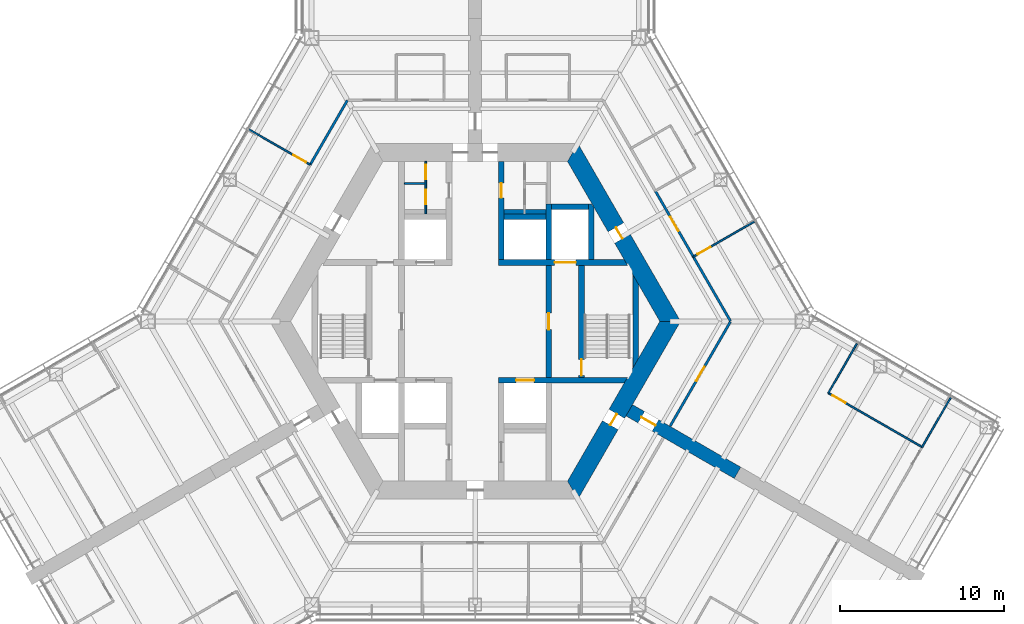
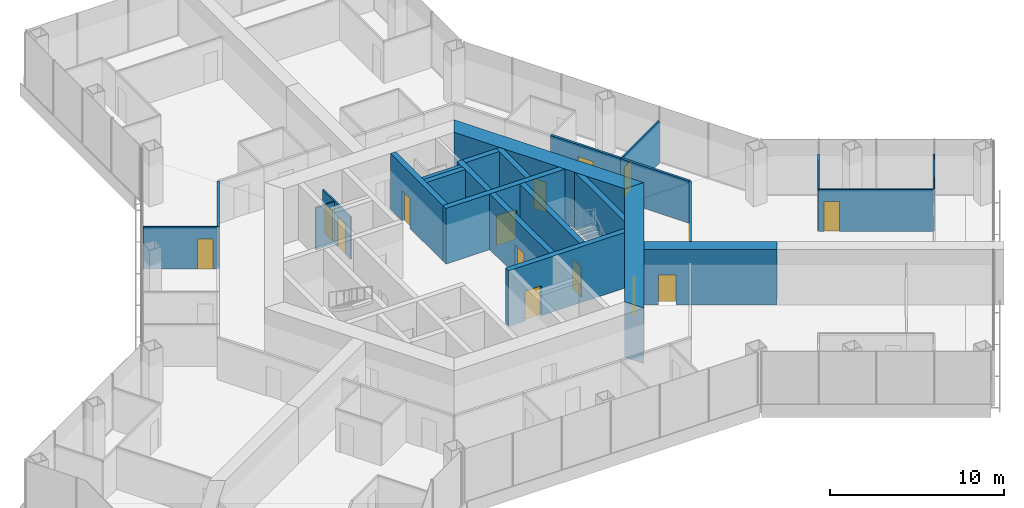
# One storey, part 14 of 18: 25 walls, 15 doors, 15 openings.
"""IFC4 building model written with IfcOpenShell, lengths in metres."""

import ifcopenshell
import ifcopenshell.guid

model = None  # the IFC model being written
_history = None  # IfcOwnerHistory: only IFC2X3 demands one
_inside = {}  # id of a spatial element -> (the spatial element, [elements in it])
_under = {}  # id of a project, library or spatial element -> (it, [spatial elements below it])
_declared = {}  # id of a project -> (the project, [libraries it declares])
_typed = {}  # id of a type object -> (the type object, [elements of that type])
_made_of = {}  # id of a material, layer set ... -> (it, [elements and type objects made of it])


def new_model(schema):
    """Start an empty IFC model of exactly this schema.

    Asked for "IFC4X3", IfcOpenShell would pick the latest addendum, in which some entities
    have other attributes; the version numbers below select the first issue.
    IFC2X3 requires an IfcOwnerHistory on every rooted entity: one is made here for all.
    """
    global model, _history
    if schema == "IFC4X3":
        model = ifcopenshell.file(schema_version=(4, 3, 0, 0))
    else:
        model = ifcopenshell.file(schema=schema)
    _inside.clear()
    _under.clear()
    _declared.clear()
    _typed.clear()
    _made_of.clear()
    _history = None
    if model.schema == "IFC2X3":
        org = make("IfcOrganization", Name="unknown")
        user = make(
            "IfcPersonAndOrganization",
            ThePerson=make("IfcPerson", FamilyName="unknown"),
            TheOrganization=org,
        )
        app = make(
            "IfcApplication",
            ApplicationDeveloper=org,
            Version="unknown",
            ApplicationFullName="unknown",
            ApplicationIdentifier="unknown",
        )
        _history = make(
            "IfcOwnerHistory",
            OwningUser=user,
            OwningApplication=app,
            ChangeAction="ADDED",
            CreationDate=0,
        )
    return model


def make(cls, **values):
    """One entity of the class cls with the attributes given. An attribute that is None is left unset."""
    return model.create_entity(
        cls, **{name: value for name, value in values.items() if value is not None}
    )


def rooted(cls, **values):
    """An entity with a GlobalId (a new one), such as an element, a storey or a relation."""
    return make(cls, GlobalId=ifcopenshell.guid.new(), OwnerHistory=_history, **values)


def si_unit(unit_type, name, prefix=None):
    """IfcSIUnit, for example si_unit("LENGTHUNIT", "METRE", prefix="MILLI")."""
    return make("IfcSIUnit", UnitType=unit_type, Prefix=prefix, Name=name)


def assignment(units):
    """IfcUnitAssignment: the units of a project."""
    return None if units is None else make("IfcUnitAssignment", Units=units)


def point(xyz):
    """IfcCartesianPoint."""
    return None if xyz is None else make("IfcCartesianPoint", Coordinates=xyz)


def direction(xyz):
    """IfcDirection."""
    return None if xyz is None else make("IfcDirection", DirectionRatios=xyz)


def frame(location, z_axis=None, x_axis=None):
    """IfcAxis2Placement3D, a coordinate frame: its origin and axes. An axis left out is left unset."""
    return make(
        "IfcAxis2Placement3D",
        Location=point(location),
        Axis=direction(z_axis),
        RefDirection=direction(x_axis),
    )


def frame_2d(location, x_axis=None):
    """IfcAxis2Placement2D, a coordinate frame in the plane: its origin and x axis."""
    return make(
        "IfcAxis2Placement2D", Location=point(location), RefDirection=direction(x_axis)
    )


def origin():
    """The frame at (0, 0, 0) with its axes left unset."""
    return frame((0.0, 0.0, 0.0))


def place(relative_to, where):
    """IfcLocalPlacement: puts the frame where relative to a parent placement (None: the world)."""
    return make(
        "IfcLocalPlacement", PlacementRelTo=relative_to, RelativePlacement=where
    )


def context(
    kind, dimensions, precision=None, world=None, true_north=None, identifier=None
):
    """IfcGeometricRepresentationContext, for example the 3D "Model" context."""
    return make(
        "IfcGeometricRepresentationContext",
        ContextIdentifier=identifier,
        ContextType=kind,
        CoordinateSpaceDimension=dimensions,
        Precision=precision,
        WorldCoordinateSystem=world,
        TrueNorth=true_north,
    )


def subcontext(parent, identifier, kind, view, scale=None):
    """IfcGeometricRepresentationSubContext, for example "Body" below "Model"."""
    return make(
        "IfcGeometricRepresentationSubContext",
        ContextIdentifier=identifier,
        ContextType=kind,
        ParentContext=parent,
        TargetScale=scale,
        TargetView=view,
    )


def project(units=None, contexts=None):
    """IfcProject with its units and contexts."""
    return rooted(
        "IfcProject",
        Name="project",
        RepresentationContexts=contexts,
        UnitsInContext=assignment(units),
    )


def spatial(cls, under=None, at=None, **own):
    """A site, building, storey or space (cls), placed at a placement, below another one or the project."""
    s = rooted(cls, ObjectPlacement=at, **own)
    if under is not None:
        _under.setdefault(under.id(), (under, []))[1].append(s)
    return s


def polyline(points):
    """IfcPolyline through the points."""
    return make("IfcPolyline", Points=[point(p) for p in points])


def profile(cls, at=None, kind="AREA", **sizes):
    """A parametric profile (cls). Its sizes go by their IFC names, for example OverallWidth=200.0."""
    return make(cls, ProfileType=kind, Position=at, **sizes)


def rectangle(**sizes):
    """IfcRectangleProfileDef."""
    return profile("IfcRectangleProfileDef", **sizes)


def outline(outer, holes=None, kind="AREA"):
    """IfcArbitraryClosedProfileDef: a profile drawn as a closed curve; with holes, ...WithVoids."""
    if holes is None:
        return make("IfcArbitraryClosedProfileDef", ProfileType=kind, OuterCurve=outer)
    return make(
        "IfcArbitraryProfileDefWithVoids",
        ProfileType=kind,
        OuterCurve=outer,
        InnerCurves=holes,
    )


def extrude(swept, where, along, depth):
    """IfcExtrudedAreaSolid: the profile swept, set in the frame where, extruded along a direction by depth."""
    return make(
        "IfcExtrudedAreaSolid",
        SweptArea=swept,
        Position=where,
        ExtrudedDirection=direction(along),
        Depth=depth,
    )


def shape(context_of_items, identifier, shape_type, items):
    """IfcShapeRepresentation: the items that make up one representation, for example the "Body"."""
    return make(
        "IfcShapeRepresentation",
        ContextOfItems=context_of_items,
        RepresentationIdentifier=identifier,
        RepresentationType=shape_type,
        Items=items,
    )


def material(Name=None, Category=None):
    """IfcMaterial."""
    return make("IfcMaterial", Name=Name, Category=Category)


def layer(
    of_material, thickness, ventilated=None, Name=None, Category=None, Priority=None
):
    """IfcMaterialLayer: one layer of a wall or slab, of a material (None: an air gap)."""
    return make(
        "IfcMaterialLayer",
        Material=of_material,
        LayerThickness=thickness,
        IsVentilated=ventilated,
        Name=Name,
        Category=Category,
        Priority=Priority,
    )


def layer_set(layers, Name=None):
    """IfcMaterialLayerSet."""
    return make("IfcMaterialLayerSet", MaterialLayers=layers, LayerSetName=Name)


def made_of(thing, what):
    """Note that an element or type object is made of a material, layer set ...; save() writes the relation."""
    if what is not None:
        _made_of.setdefault(what.id(), (what, []))[1].append(thing)
    return thing


def type_object(cls, material=None, **own):
    """A type object (cls), such as IfcWallType, which elements share."""
    return made_of(rooted(cls, **own), material)


def element(
    cls,
    number,
    at=None,
    inside=None,
    cuts=None,
    type_object=None,
    material=None,
    context=None,
    identifier="Body",
    shape_type=None,
    held_by="IfcProductDefinitionShape",
    body=None,
    shapes=None,
    **own,
):
    """One element of the class cls, such as IfcWall. Its Tag is "e" and its number.

    at: its placement. inside: the storey or other place that contains it. cuts: it is an
    opening in that element (IfcRelVoidsElement). A single representation is given by context,
    identifier, shape_type and body (its items); several are given by shapes. held_by: the class
    of the entity that holds the representations. save() writes the other relations.
    """
    e = rooted(cls, Tag="e%d" % number, ObjectPlacement=at, **own)
    if body is not None:
        shapes = [shape(context, identifier, shape_type, body)]
    if shapes is not None:
        e.Representation = make(held_by, Representations=shapes)
    if inside is not None:
        _inside.setdefault(inside.id(), (inside, []))[1].append(e)
    if cuts is not None:
        rooted(
            "IfcRelVoidsElement", RelatingBuildingElement=cuts, RelatedOpeningElement=e
        )
    if type_object is not None:
        _typed.setdefault(type_object.id(), (type_object, []))[1].append(e)
    return made_of(e, material)


def fill(opening, filler):
    """IfcRelFillsElement: the door or window that sits in an opening."""
    return rooted(
        "IfcRelFillsElement",
        RelatingOpeningElement=opening,
        RelatedBuildingElement=filler,
    )


def aggregate(whole, parts):
    """IfcRelAggregates: a whole, such as a stair, and the parts it consists of."""
    return rooted("IfcRelAggregates", RelatingObject=whole, RelatedObjects=parts)


def save(model, path):
    """Write the relations noted so far, then the file.

    IfcRelAggregates (storeys below a building ...), IfcRelContainedInSpatialStructure (elements
    in a storey), IfcRelDefinesByType, IfcRelAssociatesMaterial and IfcRelDeclares: one each for
    every whole, place, type object, material and project.
    """
    for whole, parts in _under.values():
        aggregate(whole, parts)
    for where, things in _inside.values():
        rooted(
            "IfcRelContainedInSpatialStructure",
            RelatedElements=things,
            RelatingStructure=where,
        )
    for kind, things in _typed.values():
        rooted("IfcRelDefinesByType", RelatedObjects=things, RelatingType=kind)
    for what, things in _made_of.values():
        rooted("IfcRelAssociatesMaterial", RelatedObjects=things, RelatingMaterial=what)
    for by, libraries in _declared.values():
        rooted("IfcRelDeclares", RelatingContext=by, RelatedDefinitions=libraries)
    model.write(path)


model = new_model("IFC4")

# Units and contexts
model_context = context("Model", 3, precision=1e-05, world=origin(), true_north=direction((0.0, 1.0)))
body_context = subcontext(model_context, "Body", "Model", "MODEL_VIEW")
ifc_project = project(units=[si_unit("LENGTHUNIT", "METRE"), si_unit("AREAUNIT", "SQUARE_METRE"), si_unit("VOLUMEUNIT", "CUBIC_METRE"), si_unit("PLANEANGLEUNIT", "RADIAN"), si_unit("MASSUNIT", "GRAM", prefix="KILO")], contexts=[model_context])

# Site, building, storey
site_placement = place(None, origin())
site = spatial("IfcSite", under=ifc_project, at=site_placement, CompositionType="ELEMENT")
building_placement = place(site_placement, origin())
building = spatial("IfcBuilding", under=site, at=building_placement, Name="Kasaneha Research Tower", CompositionType="ELEMENT")
storey_placement = place(building_placement, frame((0.0, 0.0, 115.800048828125)))
storey = spatial("IfcBuildingStorey", under=building, at=storey_placement, Name="L29", CompositionType="ELEMENT", Elevation=115.800048828125)

# Wall, opening, door
ifc_material_1 = material(Name="Concrete Fc80", Category="concrete")
ifc_layer_1 = layer(ifc_material_1, 0.35009765625)
ifc_layer_set_1 = layer_set([ifc_layer_1], Name="Core internal wall 350 Fc80")
wall_type_1 = type_object("IfcWallType", Name="Core internal wall 350 Fc80", PredefinedType="SHEAR", material=ifc_layer_set_1)
wall_1_placement = place(storey_placement, frame((1.425048828125, 3.60009765625, 0.0), z_axis=(0.0, 0.0, 1.0), x_axis=(1.0, 0.0, 0.0)))
wall_1 = element("IfcWall", 1, at=wall_1_placement, inside=storey, type_object=wall_type_1, Name="Core wall W1E L29", PredefinedType="SHEAR", context=body_context, shape_type="SweptSolid", body=[
    extrude(outline(polyline([(0.0, -0.175048828125), (3.425048828125, -0.175048828125), (4.72509765625, -0.175048828125), (7.884765625, -0.175048828125), (7.6826171875, 0.175048828125), (4.72509765625, 0.175048828125), (3.425048828125, 0.175048828125), (0.0, 0.175048828125), (0.0, -0.175048828125)])), origin(), (0.0, 0.0, 1.0), 3.89990234375),
])
opening_1_placement = place(wall_1_placement, frame((3.425048828125, 0.0, 0.0)))
opening_1 = element("IfcOpeningElement", 2, at=opening_1_placement, cuts=wall_1, Name="Opening LD-FL1-L29", PredefinedType="OPENING", context=body_context, shape_type="SweptSolid", body=[
    extrude(rectangle(XDim=1.300048828125, YDim=2.10009765625, at=frame_2d((0.64990234375, 1.050048828125))), frame((0.0, 0.18505859375, 0.0), z_axis=(0.0, -1.0, 0.0), x_axis=(1.0, 0.0, 0.0)), (0.0, 0.0, 1.0), 0.3701171875),
])
ifc_material_2 = material(Name="Steel", Category="steel")
door_type_1 = type_object("IfcDoorType", Name="Lift landing door 1300x2100", OperationType="DOUBLE_DOOR_SLIDING", PredefinedType="DOOR", material=ifc_material_2)
door_1_placement = place(opening_1_placement, origin())
door_1 = element("IfcDoor", 3, at=door_1_placement, inside=storey, type_object=door_type_1, Name="Landing door FL1 LD-FL1-L29", OperationType="DOUBLE_DOOR_SLIDING", OverallHeight=2.10009765625, OverallWidth=1.300048828125, PredefinedType="DOOR", context=body_context, shape_type="SweptSolid", body=[
    extrude(rectangle(XDim=1.300048828125, YDim=2.10009765625, at=frame_2d((0.64990234375, 1.050048828125))), frame((0.0, 0.02490234375, 0.0), z_axis=(0.0, -1.0, 0.0), x_axis=(1.0, 0.0, 0.0)), (0.0, 0.0, 1.0), 0.050048828125),
])
fill(opening_1, door_1)

wall_2_placement = place(storey_placement, frame((1.425048828125, -3.60009765625, 0.0), z_axis=(0.0, 0.0, 1.0), x_axis=(1.0, 0.0, 0.0)))
wall_2 = element("IfcWall", 4, at=wall_2_placement, inside=storey, type_object=wall_type_1, Name="Core wall W2E L29", PredefinedType="SHEAR", context=body_context, shape_type="SweptSolid", body=[
    extrude(outline(polyline([(0.0, -0.175048828125), (1.074951171875, -0.175048828125), (2.175048828125, -0.175048828125), (7.6826171875, -0.175048828125), (7.884765625, 0.175048828125), (2.175048828125, 0.175048828125), (1.074951171875, 0.175048828125), (0.0, 0.175048828125), (0.0, -0.175048828125)])), origin(), (0.0, 0.0, 1.0), 3.89990234375),
])
opening_2_placement = place(wall_2_placement, frame((1.074951171875, 0.0, 0.0)))
opening_2 = element("IfcOpeningElement", 5, at=opening_2_placement, cuts=wall_2, Name="Opening LD-LO3-L29", PredefinedType="OPENING", context=body_context, shape_type="SweptSolid", body=[
    extrude(rectangle(XDim=1.10009765625, YDim=2.10009765625, at=frame_2d((0.550048828125, 1.050048828125))), frame((0.0, 0.18505859375, 0.0), z_axis=(0.0, -1.0, 0.0), x_axis=(1.0, 0.0, 0.0)), (0.0, 0.0, 1.0), 0.3701171875),
])
ifc_material_3 = material(Name="Steel", Category="steel")
door_type_2 = type_object("IfcDoorType", Name="Lift landing door 1100x2100", OperationType="DOUBLE_DOOR_SLIDING", PredefinedType="DOOR", material=ifc_material_3)
door_2_placement = place(opening_2_placement, origin())
door_2 = element("IfcDoor", 6, at=door_2_placement, inside=storey, type_object=door_type_2, Name="Landing door LO3 LD-LO3-L29", OperationType="DOUBLE_DOOR_SLIDING", OverallHeight=2.10009765625, OverallWidth=1.10009765625, PredefinedType="DOOR", context=body_context, shape_type="SweptSolid", body=[
    extrude(rectangle(XDim=1.10009765625, YDim=2.10009765625, at=frame_2d((0.550048828125, 1.050048828125))), frame((0.0, 0.02490234375, 0.0), z_axis=(0.0, -1.0, 0.0), x_axis=(1.0, 0.0, 0.0)), (0.0, 0.0, 1.0), 0.050048828125),
])
fill(opening_2, door_2)

wall_3_placement = place(storey_placement, frame((1.60009765625, 3.77490234375, 0.0), z_axis=(0.0, 0.0, 1.0), x_axis=(0.0, 1.0, 0.0)))
wall_3 = element("IfcWall", 7, at=wall_3_placement, inside=storey, type_object=wall_type_1, Name="Core wall CNE L29", PredefinedType="SHEAR", context=body_context, shape_type="SweptSolid", body=[
    extrude(rectangle(XDim=6.0, YDim=0.35009765625, at=frame_2d((3.0, 0.0))), origin(), (0.0, 0.0, 1.0), 3.89990234375),
])
opening_3_placement = place(wall_3_placement, frame((3.77490234375, 0.0, 0.0)))
opening_3 = element("IfcOpeningElement", 8, at=opening_3_placement, cuts=wall_3, Name="Opening L29-D14", PredefinedType="OPENING", context=body_context, shape_type="SweptSolid", body=[
    extrude(rectangle(XDim=0.89990234375, YDim=2.10009765625, at=frame_2d((0.449951171875, 1.050048828125))), frame((0.0, 0.18505859375, 0.0), z_axis=(0.0, -1.0, 0.0), x_axis=(1.0, 0.0, 0.0)), (0.0, 0.0, 1.0), 0.3701171875),
])
ifc_material_4 = material(Name="Steel", Category="steel")
door_type_3 = type_object("IfcDoorType", Name="Toilet door FD20 900x2100", OperationType="NOTDEFINED", PredefinedType="DOOR", material=ifc_material_4)
door_3_placement = place(opening_3_placement, origin())
door_3 = element("IfcDoor", 9, at=door_3_placement, inside=storey, type_object=door_type_3, Name="Women's WC door L29-D14", OperationType="SINGLE_SWING_LEFT", OverallHeight=2.10009765625, OverallWidth=0.89990234375, PredefinedType="DOOR", context=body_context, shape_type="SweptSolid", body=[
    extrude(rectangle(XDim=0.89990234375, YDim=2.10009765625, at=frame_2d((0.449951171875, 1.050048828125))), frame((0.0, 0.02490234375, 0.0), z_axis=(0.0, -1.0, 0.0), x_axis=(1.0, 0.0, 0.0)), (0.0, 0.0, 1.0), 0.050048828125),
])
fill(opening_3, door_3)

wall_4_placement = place(storey_placement, frame((4.5, -3.425048828125, 0.0), z_axis=(0.0, 0.0, 1.0), x_axis=(0.0, 1.0, 0.0)))
wall_4 = element("IfcWall", 10, at=wall_4_placement, inside=storey, type_object=wall_type_1, Name="Core wall LBE L29", PredefinedType="SHEAR", context=body_context, shape_type="SweptSolid", body=[
    extrude(rectangle(XDim=6.85009765625, YDim=0.35009765625, at=frame_2d((3.425048828125, 0.0))), origin(), (0.0, 0.0, 1.0), 3.89990234375),
])
opening_4_placement = place(wall_4_placement, frame((2.925048828125, 0.0, 0.0)))
opening_4 = element("IfcOpeningElement", 11, at=opening_4_placement, cuts=wall_4, Name="Opening L29-D08", PredefinedType="OPENING", context=body_context, shape_type="SweptSolid", body=[
    extrude(rectangle(XDim=1.0, YDim=2.10009765625, at=frame_2d((0.5, 1.050048828125))), frame((0.0, 0.18505859375, 0.0), z_axis=(0.0, -1.0, 0.0), x_axis=(1.0, 0.0, 0.0)), (0.0, 0.0, 1.0), 0.3701171875),
])
ifc_material_5 = material(Name="Steel", Category="steel")
door_type_4 = type_object("IfcDoorType", Name="Specified fire door FD60 1000x2100", OperationType="NOTDEFINED", PredefinedType="DOOR", material=ifc_material_5)
door_4_placement = place(opening_4_placement, origin())
door_4 = element("IfcDoor", 12, at=door_4_placement, inside=storey, type_object=door_type_4, Name="Lift lobby door east L29-D08", OperationType="SINGLE_SWING_LEFT", OverallHeight=2.10009765625, OverallWidth=1.0, PredefinedType="DOOR", context=body_context, shape_type="SweptSolid", body=[
    extrude(rectangle(XDim=1.0, YDim=2.10009765625, at=frame_2d((0.5, 1.050048828125))), frame((0.0, 0.02490234375, 0.0), z_axis=(0.0, -1.0, 0.0), x_axis=(1.0, 0.0, 0.0)), (0.0, 0.0, 1.0), 0.050048828125),
])
fill(opening_4, door_4)

wall_5_placement = place(storey_placement, frame((6.5, -3.425048828125, 0.0), z_axis=(0.0, 0.0, 1.0), x_axis=(0.0, 1.0, 0.0)))
wall_5 = element("IfcWall", 13, at=wall_5_placement, inside=storey, type_object=wall_type_1, Name="Core wall ANE L29", PredefinedType="SHEAR", context=body_context, shape_type="SweptSolid", body=[
    extrude(rectangle(XDim=6.85009765625, YDim=0.35009765625, at=frame_2d((3.425048828125, 0.0))), origin(), (0.0, 0.0, 1.0), 3.89990234375),
])
opening_5_placement = place(wall_5_placement, frame((0.10009765625, 0.0, 0.0)))
opening_5 = element("IfcOpeningElement", 14, at=opening_5_placement, cuts=wall_5, Name="Opening L29-D10", PredefinedType="OPENING", context=body_context, shape_type="SweptSolid", body=[
    extrude(rectangle(XDim=1.0, YDim=2.10009765625, at=frame_2d((0.5, 1.050048828125))), frame((0.0, 0.18505859375, 0.0), z_axis=(0.0, -1.0, 0.0), x_axis=(1.0, 0.0, 0.0)), (0.0, 0.0, 1.0), 0.3701171875),
])
door_5_placement = place(opening_5_placement, origin())
door_5 = element("IfcDoor", 15, at=door_5_placement, inside=storey, type_object=door_type_4, Name="Stair 1 door L29-D10", OperationType="SINGLE_SWING_LEFT", OverallHeight=2.10009765625, OverallWidth=1.0, PredefinedType="DOOR", context=body_context, shape_type="SweptSolid", body=[
    extrude(rectangle(XDim=1.0, YDim=2.10009765625, at=frame_2d((0.5, 1.050048828125))), frame((0.0, 0.02490234375, 0.0), z_axis=(0.0, -1.0, 0.0), x_axis=(1.0, 0.0, 0.0)), (0.0, 0.0, 1.0), 0.050048828125),
])
fill(opening_5, door_5)

# Walls
wall_6_placement = place(storey_placement, frame((4.5, 3.77490234375, 0.0), z_axis=(0.0, 0.0, 1.0), x_axis=(0.0, 1.0, 0.0)))
element("IfcWall", 16, at=wall_6_placement, inside=storey, type_object=wall_type_1, Name="Core wall FNE L29", PredefinedType="SHEAR", context=body_context, shape_type="SweptSolid", body=[
    extrude(rectangle(XDim=3.400146484375, YDim=0.35009765625, at=frame_2d((1.7001953125, 0.0))), origin(), (0.0, 0.0, 1.0), 3.89990234375),
])
wall_7_placement = place(storey_placement, frame((1.77490234375, 6.39990234375, 0.0), z_axis=(0.0, 0.0, 1.0), x_axis=(1.0, 0.0, 0.0)))
element("IfcWall", 17, at=wall_7_placement, inside=storey, type_object=wall_type_1, Name="Core wall N3N L29", PredefinedType="SHEAR", context=body_context, shape_type="SweptSolid", body=[
    extrude(rectangle(XDim=2.550048828125, YDim=0.35009765625, at=frame_2d((1.27490234375, 0.0))), origin(), (0.0, 0.0, 1.0), 3.89990234375),
])
wall_8_placement = place(storey_placement, frame((4.675048828125, 7.0, 0.0), z_axis=(0.0, 0.0, 1.0), x_axis=(1.0, 0.0, 0.0)))
element("IfcWall", 18, at=wall_8_placement, inside=storey, type_object=wall_type_1, Name="Core wall F1N L29", PredefinedType="SHEAR", context=body_context, shape_type="SweptSolid", body=[
    extrude(rectangle(XDim=2.25, YDim=0.35009765625, at=frame_2d((1.125, 0.0))), origin(), (0.0, 0.0, 1.0), 3.89990234375),
])
wall_9_placement = place(storey_placement, frame((7.10009765625, 3.77490234375, 0.0), z_axis=(0.0, 0.0, 1.0), x_axis=(0.0, 1.0, 0.0)))
element("IfcWall", 19, at=wall_9_placement, inside=storey, type_object=wall_type_1, Name="Core wall F1E L29", PredefinedType="SHEAR", context=body_context, shape_type="SweptSolid", body=[
    extrude(outline(polyline([(0.0, -0.175048828125), (3.174560546875, -0.175048828125), (3.400146484375, 0.0), (3.400146484375, 0.175048828125), (0.0, 0.175048828125), (0.0, -0.175048828125)])), origin(), (0.0, 0.0, 1.0), 3.89990234375),
])
wall_10_placement = place(storey_placement, frame((9.807861328125, -2.562255859375, 0.0), z_axis=(0.0, 0.0, 1.0), x_axis=(0.0, 1.0, 0.0)))
element("IfcWall", 20, at=wall_10_placement, inside=storey, type_object=wall_type_1, Name="Core wall STE L29", PredefinedType="SHEAR", context=body_context, shape_type="SweptSolid", body=[
    extrude(outline(polyline([(0.30322265625, -0.175048828125), (4.8212890625, -0.175048828125), (5.427734375, 0.175048828125), (-0.30322265625, 0.175048828125), (0.30322265625, -0.175048828125)])), origin(), (0.0, 0.0, 1.0), 3.89990234375),
])

# Wall, opening, door
ifc_material_6 = material(Name="Concrete Fc80", Category="concrete")
ifc_layer_2 = layer(ifc_material_6, 1.10009765625)
ifc_layer_set_2 = layer_set([ifc_layer_2], Name="Core wall 1100 Fc80")
wall_type_2 = type_object("IfcWallType", Name="Core wall 1100 Fc80", PredefinedType="SHEAR", material=ifc_layer_set_2)
wall_11_placement = place(storey_placement, frame((11.92236328125, 0.0, 0.0), z_axis=(0.0, 0.0, 1.0), x_axis=(-0.500004296715, 0.866022923061, 0.0)))
wall_11 = element("IfcWall", 21, at=wall_11_placement, inside=storey, type_object=wall_type_2, Name="Core wall 030 L29", PredefinedType="SHEAR", context=body_context, shape_type="SweptSolid", body=[
    extrude(outline(polyline([(-0.317626953125, -0.550048828125), (5.83544921875, -0.550048828125), (6.635498046875, -0.550048828125), (12.239990234375, -0.550048828125), (11.604736328125, 0.550048828125), (6.635498046875, 0.550048828125), (5.83544921875, 0.550048828125), (0.317626953125, 0.550048828125), (-0.317626953125, -0.550048828125)])), origin(), (0.0, 0.0, 1.0), 3.89990234375),
])
opening_6_placement = place(wall_11_placement, frame((5.83544921875, 0.0, 0.0)))
opening_6 = element("IfcOpeningElement", 22, at=opening_6_placement, cuts=wall_11, Name="Opening L29-D04", PredefinedType="OPENING", context=body_context, shape_type="SweptSolid", body=[
    extrude(rectangle(XDim=0.800048828125, YDim=2.10009765625, at=frame_2d((0.39990234375, 1.050048828125))), frame((0.0, 0.56005859375, 0.0), z_axis=(0.0, -1.0, 0.0), x_axis=(1.0, 0.0, 0.0)), (0.0, 0.0, 1.0), 1.1201171875),
])
ifc_material_7 = material(Name="Steel", Category="steel")
door_type_5 = type_object("IfcDoorType", Name="Riser access door FD60 800x2100", OperationType="NOTDEFINED", PredefinedType="DOOR", material=ifc_material_7)
door_6_placement = place(opening_6_placement, origin())
door_6 = element("IfcDoor", 23, at=door_6_placement, inside=storey, type_object=door_type_5, Name="Pipe riser door L29-D04", OperationType="SINGLE_SWING_RIGHT", OverallHeight=2.10009765625, OverallWidth=0.800048828125, PredefinedType="DOOR", context=body_context, shape_type="SweptSolid", body=[
    extrude(rectangle(XDim=0.800048828125, YDim=2.10009765625, at=frame_2d((0.39990234375, 1.050048828125))), frame((0.0, 0.02490234375, 0.0), z_axis=(0.0, -1.0, 0.0), x_axis=(1.0, 0.0, 0.0)), (0.0, 0.0, 1.0), 0.050048828125),
])
fill(opening_6, door_6)

wall_12_placement = place(storey_placement, frame((5.961181640625, -10.324951171875, 0.0), z_axis=(0.0, 0.0, 1.0), x_axis=(0.500004296715, 0.866022923061, 0.0)))
wall_12 = element("IfcWall", 24, at=wall_12_placement, inside=storey, type_object=wall_type_2, Name="Core wall 330 L29", PredefinedType="SHEAR", context=body_context, shape_type="SweptSolid", body=[
    extrude(outline(polyline([(-0.317626953125, -0.550048828125), (4.593994140625, -0.550048828125), (5.39404296875, -0.550048828125), (12.239990234375, -0.550048828125), (11.604736328125, 0.550048828125), (5.39404296875, 0.550048828125), (4.593994140625, 0.550048828125), (0.317626953125, 0.550048828125), (-0.317626953125, -0.550048828125)])), origin(), (0.0, 0.0, 1.0), 3.89990234375),
])
opening_7_placement = place(wall_12_placement, frame((4.593994140625, 0.0, 0.0)))
opening_7 = element("IfcOpeningElement", 25, at=opening_7_placement, cuts=wall_12, Name="Opening L29-D05", PredefinedType="OPENING", context=body_context, shape_type="SweptSolid", body=[
    extrude(rectangle(XDim=0.800048828125, YDim=2.10009765625, at=frame_2d((0.39990234375, 1.050048828125))), frame((0.0, 0.56005859375, 0.0), z_axis=(0.0, -1.0, 0.0), x_axis=(1.0, 0.0, 0.0)), (0.0, 0.0, 1.0), 1.1201171875),
])
door_7_placement = place(opening_7_placement, origin())
door_7 = element("IfcDoor", 26, at=door_7_placement, inside=storey, type_object=door_type_5, Name="Pipe riser door L29-D05", OperationType="SINGLE_SWING_LEFT", OverallHeight=2.10009765625, OverallWidth=0.800048828125, PredefinedType="DOOR", context=body_context, shape_type="SweptSolid", body=[
    extrude(rectangle(XDim=0.800048828125, YDim=2.10009765625, at=frame_2d((0.39990234375, 1.050048828125))), frame((0.0, 0.02490234375, 0.0), z_axis=(0.0, -1.0, 0.0), x_axis=(1.0, 0.0, 0.0)), (0.0, 0.0, 1.0), 0.050048828125),
])
fill(opening_7, door_7)

# Wall, openings, doors
ifc_material_8 = material(Name="Gypsum board on steel studs, one layer each side", Category="steel")
ifc_layer_3 = layer(ifc_material_8, 0.10009765625)
ifc_layer_set_3 = layer_set([ifc_layer_3], Name="Office partition 100")
wall_type_3 = type_object("IfcWallType", Name="Office partition 100", PredefinedType="PARTITIONING", material=ifc_layer_set_3)
wall_13_placement = place(storey_placement, frame((-3.02490234375, 6.574951171875, 0.0), z_axis=(0.0, 0.0, 1.0), x_axis=(0.0, 1.0, 0.0)))
wall_13 = element("IfcWall", 27, at=wall_13_placement, inside=storey, type_object=wall_type_3, Name="Office partition TBM1 L29", PredefinedType="PARTITIONING", context=body_context, shape_type="SweptSolid", body=[
    extrude(rectangle(XDim=3.199951171875, YDim=0.10009765625, at=frame_2d((1.60009765625, 0.0))), origin(), (0.0, 0.0, 1.0), 2.949951171875),
])
opening_8_placement = place(wall_13_placement, frame((0.574951171875, 0.0, 0.0)))
opening_8 = element("IfcOpeningElement", 28, at=opening_8_placement, cuts=wall_13, Name="Opening L29-D20", PredefinedType="OPENING", context=body_context, shape_type="SweptSolid", body=[
    extrude(rectangle(XDim=0.89990234375, YDim=2.10009765625, at=frame_2d((0.449951171875, 1.050048828125))), frame((0.0, 0.06005859375, 0.0), z_axis=(0.0, -1.0, 0.0), x_axis=(1.0, 0.0, 0.0)), (0.0, 0.0, 1.0), 0.1201171875),
])
opening_9_placement = place(wall_13_placement, frame((2.10009765625, 0.0, 0.0)))
opening_9 = element("IfcOpeningElement", 29, at=opening_9_placement, cuts=wall_13, Name="Opening L29-D21", PredefinedType="OPENING", context=body_context, shape_type="SweptSolid", body=[
    extrude(rectangle(XDim=0.89990234375, YDim=2.10009765625, at=frame_2d((0.449951171875, 1.050048828125))), frame((0.0, 0.06005859375, 0.0), z_axis=(0.0, -1.0, 0.0), x_axis=(1.0, 0.0, 0.0)), (0.0, 0.0, 1.0), 0.1201171875),
])
ifc_material_9 = material(Name="Steel", Category="steel")
door_type_6 = type_object("IfcDoorType", Name="Toilet lobby door FD30 900x2100", OperationType="NOTDEFINED", PredefinedType="DOOR", material=ifc_material_9)
door_8_placement = place(opening_8_placement, origin())
door_8 = element("IfcDoor", 30, at=door_8_placement, inside=storey, type_object=door_type_6, Name="Men's WC door L29-D20", OperationType="SINGLE_SWING_RIGHT", OverallHeight=2.10009765625, OverallWidth=0.89990234375, PredefinedType="DOOR", context=body_context, shape_type="SweptSolid", body=[
    extrude(rectangle(XDim=0.89990234375, YDim=2.10009765625, at=frame_2d((0.449951171875, 1.050048828125))), frame((0.0, 0.02490234375, 0.0), z_axis=(0.0, -1.0, 0.0), x_axis=(1.0, 0.0, 0.0)), (0.0, 0.0, 1.0), 0.050048828125),
])
fill(opening_8, door_8)
door_9_placement = place(opening_9_placement, origin())
door_9 = element("IfcDoor", 31, at=door_9_placement, inside=storey, type_object=door_type_6, Name="Cleaner's store door L29-D21", OperationType="SINGLE_SWING_RIGHT", OverallHeight=2.10009765625, OverallWidth=0.89990234375, PredefinedType="DOOR", context=body_context, shape_type="SweptSolid", body=[
    extrude(rectangle(XDim=0.89990234375, YDim=2.10009765625, at=frame_2d((0.449951171875, 1.050048828125))), frame((0.0, 0.02490234375, 0.0), z_axis=(0.0, -1.0, 0.0), x_axis=(1.0, 0.0, 0.0)), (0.0, 0.0, 1.0), 0.050048828125),
])
fill(opening_9, door_9)

# Wall
wall_14_placement = place(storey_placement, frame((-3.074951171875, 8.425048828125, 0.0), z_axis=(0.0, 0.0, 1.0), x_axis=(-1.0, 0.0, 0.0)))
element("IfcWall", 32, at=wall_14_placement, inside=storey, type_object=wall_type_3, Name="Office partition TBM2 L29", PredefinedType="PARTITIONING", context=body_context, shape_type="SweptSolid", body=[
    extrude(rectangle(XDim=1.25, YDim=0.10009765625, at=frame_2d((0.625, 0.0))), origin(), (0.0, 0.0, 1.0), 2.949951171875),
])

# Wall, opening, door
wall_15_placement = place(storey_placement, frame((13.33837890625, 3.947265625, 0.0), z_axis=(0.0, 0.0, 1.0), x_axis=(0.865505397626, 0.500899597405, 0.0)))
wall_15 = element("IfcWall", 33, at=wall_15_placement, inside=storey, type_object=wall_type_3, Name="Office partition FAE17 L29", PredefinedType="PARTITIONING", context=body_context, shape_type="SweptSolid", body=[
    extrude(rectangle(XDim=4.29541015625, YDim=0.10009765625, at=frame_2d((2.147705078125, 0.0))), origin(), (0.0, 0.0, 1.0), 2.949951171875),
])
opening_10_placement = place(wall_15_placement, frame((0.300048828125, 0.0, 0.0)))
opening_10 = element("IfcOpeningElement", 34, at=opening_10_placement, cuts=wall_15, Name="Opening L29-D28", PredefinedType="OPENING", context=body_context, shape_type="SweptSolid", body=[
    extrude(rectangle(XDim=0.89990234375, YDim=2.10009765625, at=frame_2d((0.449951171875, 1.050048828125))), frame((0.0, 0.06005859375, 0.0), z_axis=(0.0, -1.0, 0.0), x_axis=(1.0, 0.0, 0.0)), (0.0, 0.0, 1.0), 0.1201171875),
])
ifc_material_10 = material(Name="Timber veneer", Category="wood")
door_type_7 = type_object("IfcDoorType", Name="Office door 900x2100", OperationType="SINGLE_SWING_LEFT", PredefinedType="DOOR", material=ifc_material_10)
door_10_placement = place(opening_10_placement, origin())
door_10 = element("IfcDoor", 35, at=door_10_placement, inside=storey, type_object=door_type_7, Name="Meeting room door L29-D28", OperationType="SINGLE_SWING_LEFT", OverallHeight=2.10009765625, OverallWidth=0.89990234375, PredefinedType="DOOR", context=body_context, shape_type="SweptSolid", body=[
    extrude(rectangle(XDim=0.89990234375, YDim=2.10009765625, at=frame_2d((0.449951171875, 1.050048828125))), frame((0.0, 0.02490234375, 0.0), z_axis=(0.0, -1.0, 0.0), x_axis=(1.0, 0.0, 0.0)), (0.0, 0.0, 1.0), 0.050048828125),
])
fill(opening_10, door_10)

wall_16_placement = place(storey_placement, frame((-10.087646484375, 9.577880859375, 0.0), z_axis=(0.0, 0.0, 1.0), x_axis=(-0.866555067673, 0.499081470994, 0.0)))
wall_16 = element("IfcWall", 36, at=wall_16_placement, inside=storey, type_object=wall_type_3, Name="Office partition FBN09 L29", PredefinedType="PARTITIONING", context=body_context, shape_type="SweptSolid", body=[
    extrude(rectangle(XDim=4.320556640625, YDim=0.10009765625, at=frame_2d((2.16015625, 0.0))), origin(), (0.0, 0.0, 1.0), 2.949951171875),
])
opening_11_placement = place(wall_16_placement, frame((0.300048828125, 0.0, 0.0)))
opening_11 = element("IfcOpeningElement", 37, at=opening_11_placement, cuts=wall_16, Name="Opening L29-D37", PredefinedType="OPENING", context=body_context, shape_type="SweptSolid", body=[
    extrude(rectangle(XDim=0.89990234375, YDim=2.10009765625, at=frame_2d((0.449951171875, 1.050048828125))), frame((0.0, 0.06005859375, 0.0), z_axis=(0.0, -1.0, 0.0), x_axis=(1.0, 0.0, 0.0)), (0.0, 0.0, 1.0), 0.1201171875),
])
door_11_placement = place(opening_11_placement, origin())
door_11 = element("IfcDoor", 38, at=door_11_placement, inside=storey, type_object=door_type_7, Name="Locker room door L29-D37", OperationType="SINGLE_SWING_LEFT", OverallHeight=2.10009765625, OverallWidth=0.89990234375, PredefinedType="DOOR", context=body_context, shape_type="SweptSolid", body=[
    extrude(rectangle(XDim=0.89990234375, YDim=2.10009765625, at=frame_2d((0.449951171875, 1.050048828125))), frame((0.0, 0.02490234375, 0.0), z_axis=(0.0, -1.0, 0.0), x_axis=(1.0, 0.0, 0.0)), (0.0, 0.0, 1.0), 0.050048828125),
])
fill(opening_11, door_11)

# Walls
wall_17_placement = place(storey_placement, frame((29.074951171875, -4.662109375, 0.0), z_axis=(0.0, 0.0, 1.0), x_axis=(-0.501335959492, -0.865252712056, 0.0)))
element("IfcWall", 39, at=wall_17_placement, inside=storey, type_object=wall_type_3, Name="Office partition FCE02 L29", PredefinedType="PARTITIONING", context=body_context, shape_type="SweptSolid", body=[
    extrude(rectangle(XDim=3.5, YDim=0.10009765625, at=frame_2d((1.75, 0.0))), origin(), (0.0, 0.0, 1.0), 2.949951171875),
])
wall_18_placement = place(storey_placement, frame((21.59228515625, -4.38330078125, 0.0), z_axis=(0.0, 0.0, 1.0), x_axis=(0.500009906705, 0.86601968407, 0.0)))
element("IfcWall", 40, at=wall_18_placement, inside=storey, type_object=wall_type_3, Name="Office partition FCE03 L29", PredefinedType="PARTITIONING", context=body_context, shape_type="SweptSolid", body=[
    extrude(rectangle(XDim=3.47998046875, YDim=0.10009765625, at=frame_2d((1.739990234375, 0.0))), origin(), (0.0, 0.0, 1.0), 2.949951171875),
])

# Wall, opening, door
wall_19_placement = place(storey_placement, frame((27.326904296875, -7.689697265625, 0.0), z_axis=(0.0, 0.0, 1.0), x_axis=(-0.866318796728, 0.499491483847, 0.0)))
wall_19 = element("IfcWall", 41, at=wall_19_placement, inside=storey, type_object=wall_type_3, Name="Office partition FCE04 L29", PredefinedType="PARTITIONING", context=body_context, shape_type="SweptSolid", body=[
    extrude(rectangle(XDim=6.61962890625, YDim=0.10009765625, at=frame_2d((3.309814453125, 0.0))), origin(), (0.0, 0.0, 1.0), 2.949951171875),
])
opening_12_placement = place(wall_19_placement, frame((5.419677734375, 0.0, 0.0)))
opening_12 = element("IfcOpeningElement", 42, at=opening_12_placement, cuts=wall_19, Name="Opening L29-D45", PredefinedType="OPENING", context=body_context, shape_type="SweptSolid", body=[
    extrude(rectangle(XDim=0.89990234375, YDim=2.10009765625, at=frame_2d((0.449951171875, 1.050048828125))), frame((0.0, 0.06005859375, 0.0), z_axis=(0.0, -1.0, 0.0), x_axis=(1.0, 0.0, 0.0)), (0.0, 0.0, 1.0), 0.1201171875),
])
door_12_placement = place(opening_12_placement, origin())
door_12 = element("IfcDoor", 43, at=door_12_placement, inside=storey, type_object=door_type_7, Name="Reception room door L29-D45", OperationType="SINGLE_SWING_RIGHT", OverallHeight=2.10009765625, OverallWidth=0.89990234375, PredefinedType="DOOR", context=body_context, shape_type="SweptSolid", body=[
    extrude(rectangle(XDim=0.89990234375, YDim=2.10009765625, at=frame_2d((0.449951171875, 1.050048828125))), frame((0.0, 0.02490234375, 0.0), z_axis=(0.0, -1.0, 0.0), x_axis=(1.0, 0.0, 0.0)), (0.0, 0.0, 1.0), 0.050048828125),
])
fill(opening_12, door_12)

ifc_material_11 = material(Name="Concrete Fc80", Category="concrete")
ifc_layer_4 = layer(ifc_material_11, 0.800048828125)
ifc_layer_set_4 = layer_set([ifc_layer_4], Name="Spine wall 800 Fc80")
wall_type_4 = type_object("IfcWallType", Name="Spine wall 800 Fc80", PredefinedType="SHEAR", material=ifc_layer_set_4)
wall_20_placement = place(storey_placement, frame((9.41796875, -5.4375, 0.0), z_axis=(0.0, 0.0, 1.0), x_axis=(0.866029782078, -0.499992416496, 0.0)))
wall_20 = element("IfcWall", 44, at=wall_20_placement, inside=storey, type_object=wall_type_4, Name="Spine wall C L29", PredefinedType="SHEAR", context=body_context, shape_type="SweptSolid", body=[
    extrude(rectangle(XDim=7.6455078125, YDim=0.800048828125, at=frame_2d((3.82275390625, 0.0))), origin(), (0.0, 0.0, 1.0), 3.89990234375),
])
opening_13_placement = place(wall_20_placement, frame((0.85009765625, 0.0, 0.0)))
opening_13 = element("IfcOpeningElement", 45, at=opening_13_placement, cuts=wall_20, Name="Opening L29-D19", PredefinedType="OPENING", context=body_context, shape_type="SweptSolid", body=[
    extrude(rectangle(XDim=1.0, YDim=2.10009765625, at=frame_2d((0.5, 1.050048828125))), frame((0.0, 0.41015625, 0.0), z_axis=(0.0, -1.0, 0.0), x_axis=(1.0, 0.0, 0.0)), (0.0, 0.0, 1.0), 0.820068359375),
])
door_13_placement = place(opening_13_placement, origin())
door_13 = element("IfcDoor", 46, at=door_13_placement, inside=storey, type_object=door_type_4, Name="Spine doorway C L29-D19", OperationType="SINGLE_SWING_LEFT", OverallHeight=2.10009765625, OverallWidth=1.0, PredefinedType="DOOR", context=body_context, shape_type="SweptSolid", body=[
    extrude(rectangle(XDim=1.0, YDim=2.10009765625, at=frame_2d((0.5, 1.050048828125))), frame((0.0, 0.02490234375, 0.0), z_axis=(0.0, -1.0, 0.0), x_axis=(1.0, 0.0, 0.0)), (0.0, 0.0, 1.0), 0.050048828125),
])
fill(opening_13, door_13)

# Wall
ifc_material_12 = material(Name="Gypsum board on steel studs, two layers each side", Category="steel")
ifc_layer_5 = layer(ifc_material_12, 0.14990234375)
ifc_layer_set_5 = layer_set([ifc_layer_5], Name="Suite partition 150")
wall_type_5 = type_object("IfcWallType", Name="Suite partition 150", PredefinedType="PARTITIONING", material=ifc_layer_set_5)
wall_21_placement = place(storey_placement, frame((13.333740234375, 3.955322265625, 0.0), z_axis=(0.0, 0.0, 1.0), x_axis=(0.499987549055, -0.866032592222, 0.0)))
element("IfcWall", 47, at=wall_21_placement, inside=storey, type_object=wall_type_5, Name="Suite partition FAE03 L29", PredefinedType="PARTITIONING", context=body_context, shape_type="SweptSolid", body=[
    extrude(rectangle(XDim=4.5439453125, YDim=0.14990234375, at=frame_2d((2.27197265625, 0.0))), origin(), (0.0, 0.0, 1.0), 2.949951171875),
])

# Wall, opening, door
wall_22_placement = place(storey_placement, frame((11.0107421875, 7.978759765625, 0.0), z_axis=(0.0, 0.0, 1.0), x_axis=(0.500008456887, -0.866020521143, 0.0)))
wall_22 = element("IfcWall", 48, at=wall_22_placement, inside=storey, type_object=wall_type_5, Name="Suite partition FAE07 L29", PredefinedType="PARTITIONING", context=body_context, shape_type="SweptSolid", body=[
    extrude(rectangle(XDim=4.6552734375, YDim=0.14990234375, at=frame_2d((2.32763671875, 0.0))), origin(), (0.0, 0.0, 1.0), 2.949951171875),
])
opening_14_placement = place(wall_22_placement, frame((1.82763671875, 0.0, 0.0)))
opening_14 = element("IfcOpeningElement", 49, at=opening_14_placement, cuts=wall_22, Name="Opening L29-D25", PredefinedType="OPENING", context=body_context, shape_type="SweptSolid", body=[
    extrude(rectangle(XDim=1.0, YDim=2.10009765625, at=frame_2d((0.5, 1.050048828125))), frame((0.0, 0.0849609375, 0.0), z_axis=(0.0, -1.0, 0.0), x_axis=(1.0, 0.0, 0.0)), (0.0, 0.0, 1.0), 0.169921875),
])
ifc_material_13 = material(Name="Steel", Category="steel")
door_type_8 = type_object("IfcDoorType", Name="Suite entrance door FD60 1000x2100", OperationType="NOTDEFINED", PredefinedType="DOOR", material=ifc_material_13)
door_14_placement = place(opening_14_placement, origin())
door_14 = element("IfcDoor", 50, at=door_14_placement, inside=storey, type_object=door_type_8, Name="Suite entrance door L29-D25", OperationType="SINGLE_SWING_LEFT", OverallHeight=2.10009765625, OverallWidth=1.0, PredefinedType="DOOR", context=body_context, shape_type="SweptSolid", body=[
    extrude(rectangle(XDim=1.0, YDim=2.10009765625, at=frame_2d((0.5, 1.050048828125))), frame((0.0, 0.02490234375, 0.0), z_axis=(0.0, -1.0, 0.0), x_axis=(1.0, 0.0, 0.0)), (0.0, 0.0, 1.0), 0.050048828125),
])
fill(opening_14, door_14)

# Wall
wall_23_placement = place(storey_placement, frame((-10.09228515625, 9.569580078125, 0.0), z_axis=(0.0, 0.0, 1.0), x_axis=(0.499987549055, 0.866032592222, 0.0)))
element("IfcWall", 51, at=wall_23_placement, inside=storey, type_object=wall_type_5, Name="Suite partition FBN01 L29", PredefinedType="PARTITIONING", context=body_context, shape_type="SweptSolid", body=[
    extrude(rectangle(XDim=4.5439453125, YDim=0.14990234375, at=frame_2d((2.27197265625, 0.0))), origin(), (0.0, 0.0, 1.0), 2.949951171875),
])

# Wall, opening, door
wall_24_placement = place(storey_placement, frame((15.605712890625, -0.02001953125, 0.0), z_axis=(0.0, 0.0, 1.0), x_axis=(-0.499989298045, -0.866031582473, 0.0)))
wall_24 = element("IfcWall", 52, at=wall_24_placement, inside=storey, type_object=wall_type_5, Name="Suite partition FCE01 L29", PredefinedType="PARTITIONING", context=body_context, shape_type="SweptSolid", body=[
    extrude(rectangle(XDim=7.365478515625, YDim=0.14990234375, at=frame_2d((3.6826171875, 0.0))), origin(), (0.0, 0.0, 1.0), 2.949951171875),
])
opening_15_placement = place(wall_24_placement, frame((3.182861328125, 0.0, 0.0)))
opening_15 = element("IfcOpeningElement", 53, at=opening_15_placement, cuts=wall_24, Name="Opening L29-D44", PredefinedType="OPENING", context=body_context, shape_type="SweptSolid", body=[
    extrude(rectangle(XDim=1.0, YDim=2.10009765625, at=frame_2d((0.5, 1.050048828125))), frame((0.0, 0.0849609375, 0.0), z_axis=(0.0, -1.0, 0.0), x_axis=(1.0, 0.0, 0.0)), (0.0, 0.0, 1.0), 0.169921875),
])
door_15_placement = place(opening_15_placement, origin())
door_15 = element("IfcDoor", 54, at=door_15_placement, inside=storey, type_object=door_type_8, Name="Suite entrance door L29-D44", OperationType="SINGLE_SWING_RIGHT", OverallHeight=2.10009765625, OverallWidth=1.0, PredefinedType="DOOR", context=body_context, shape_type="SweptSolid", body=[
    extrude(rectangle(XDim=1.0, YDim=2.10009765625, at=frame_2d((0.5, 1.050048828125))), frame((0.0, 0.02490234375, 0.0), z_axis=(0.0, -1.0, 0.0), x_axis=(1.0, 0.0, 0.0)), (0.0, 0.0, 1.0), 0.050048828125),
])
fill(opening_15, door_15)

# Wall
ifc_material_14 = material(Name="Concrete block lining", Category="concrete")
ifc_layer_6 = layer(ifc_material_14, 0.25)
ifc_layer_set_6 = layer_set([ifc_layer_6], Name="WC plumbing wall 250")
wall_type_6 = type_object("IfcWallType", Name="WC plumbing wall 250", PredefinedType="PLUMBINGWALL", material=ifc_layer_set_6)
wall_25_placement = place(storey_placement, frame((1.77490234375, 6.699951171875, 0.0), z_axis=(0.0, 0.0, 1.0), x_axis=(1.0, 0.0, 0.0)))
element("IfcWall", 55, at=wall_25_placement, inside=storey, type_object=wall_type_6, Name="WC plumbing wall F L29", PredefinedType="PLUMBINGWALL", context=body_context, shape_type="SweptSolid", body=[
    extrude(rectangle(XDim=2.550048828125, YDim=0.25, at=frame_2d((1.27490234375, 0.0))), origin(), (0.0, 0.0, 1.0), 3.89990234375),
])

save(model, "model.ifc")
